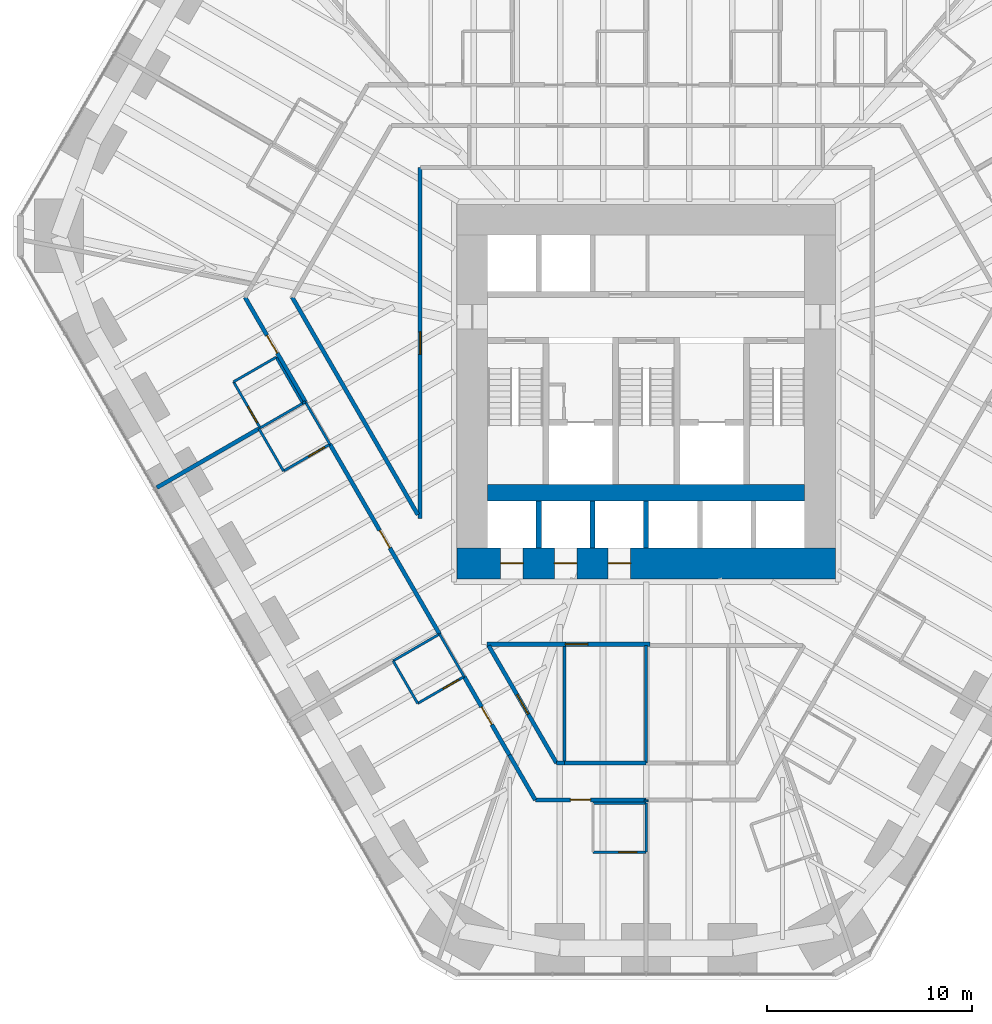
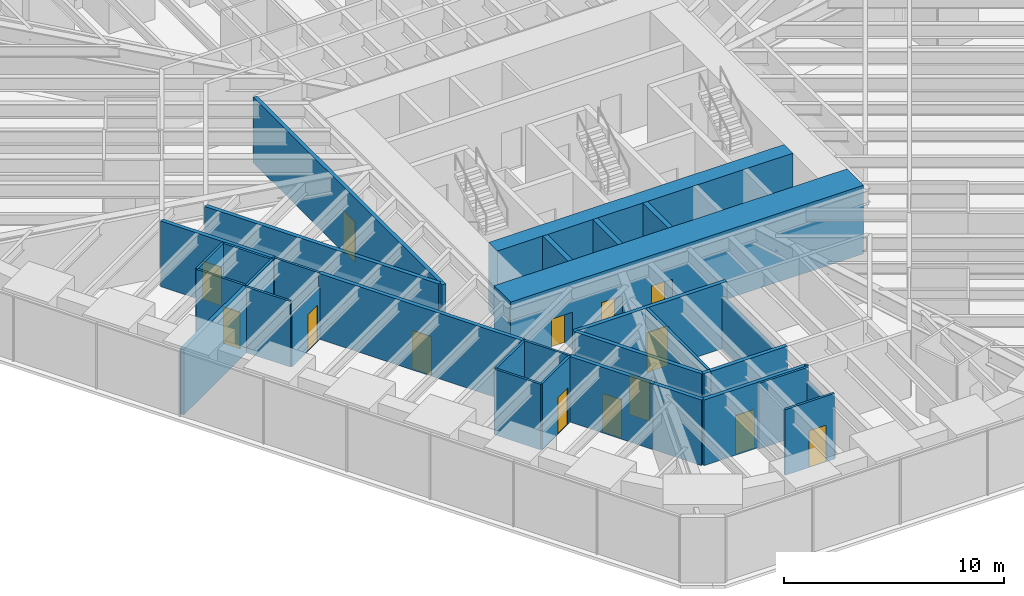
# One storey, part 11 of 17: 35 walls, 14 doors, 14 openings.
"""IFC4 building model written with IfcOpenShell, lengths in metres."""

from ifc_helpers import new_model, si_unit, direction, frame, frame_2d, origin, place, context, subcontext, project, spatial, rectangle, extrude, material, layer, layer_set, type_object, element, fill, save


model = new_model("IFC4")

# Units and contexts
model_context = context("Model", 3, precision=1e-05, world=origin(), true_north=direction((0.0, 1.0)))
body_context = subcontext(model_context, "Body", "Model", "MODEL_VIEW")
ifc_project = project(units=[si_unit("LENGTHUNIT", "METRE"), si_unit("AREAUNIT", "SQUARE_METRE"), si_unit("VOLUMEUNIT", "CUBIC_METRE"), si_unit("PLANEANGLEUNIT", "RADIAN"), si_unit("MASSUNIT", "GRAM", prefix="KILO")], contexts=[model_context])

# Site, building, storey
site_placement = place(None, origin())
site = spatial("IfcSite", under=ifc_project, at=site_placement, CompositionType="ELEMENT")
building_placement = place(site_placement, origin())
building = spatial("IfcBuilding", under=site, at=building_placement, Name="Sandreach Pilgrim Tower", CompositionType="ELEMENT")
storey_placement = place(building_placement, frame((0.0, 0.0, 49.60009765625)))
storey = spatial("IfcBuildingStorey", under=building, at=storey_placement, Name="L11", CompositionType="ELEMENT", Elevation=49.60009765625)

# Walls
ifc_material_1 = material(Name="Gypsum board on steel studs", Category="steel")
ifc_layer_1 = layer(ifc_material_1, 0.14990234375)
ifc_layer_set_1 = layer_set([ifc_layer_1], Name="Back of house wall 150")
wall_type_1 = type_object("IfcWallType", Name="Back of house wall 150", PredefinedType="PARTITIONING", material=ifc_layer_set_1)
wall_1_placement = place(storey_placement, frame((-4.0, -14.0, 0.0), z_axis=(0.0, 0.0, 1.0), x_axis=(0.0, -1.0, 0.0)))
element("IfcWall", 1, at=wall_1_placement, inside=storey, type_object=wall_type_1, Name="Back of house wall L11-051", PredefinedType="PARTITIONING", context=body_context, shape_type="SweptSolid", body=[
    extrude(rectangle(XDim=5.7099609375, YDim=0.14990234375, at=frame_2d((2.85498046875, 0.0))), origin(), (0.0, 0.0, 1.0), 3.639892578125),
])
wall_2_placement = place(storey_placement, frame((0.0, -13.949951171875, 0.0), z_axis=(0.0, 0.0, 1.0), x_axis=(0.0, -1.0, 0.0)))
element("IfcWall", 2, at=wall_2_placement, inside=storey, type_object=wall_type_1, Name="Back of house wall L11-062", PredefinedType="PARTITIONING", context=body_context, shape_type="SweptSolid", body=[
    extrude(rectangle(XDim=5.760009765625, YDim=0.14990234375, at=frame_2d((2.8798828125, 0.0))), origin(), (0.0, 0.0, 1.0), 2.860107421875),
])

# Wall, opening, door
ifc_material_2 = material(Name="Moisture-resistant gypsum board on steel studs", Category="steel")
ifc_layer_2 = layer(ifc_material_2, 0.1201171875)
ifc_layer_set_2 = layer_set([ifc_layer_2], Name="Bathroom partition 120")
wall_type_2 = type_object("IfcWallType", Name="Bathroom partition 120", PredefinedType="PARTITIONING", material=ifc_layer_set_2)
wall_3_placement = place(storey_placement, frame((-20.169921875, -1.070068359375, 0.0), z_axis=(0.0, 0.0, 1.0), x_axis=(0.500291685314, -0.865856933682, 0.0)))
wall_3 = element("IfcWall", 3, at=wall_3_placement, inside=storey, type_object=wall_type_2, Name="Bathroom partition L11-004", PredefinedType="PARTITIONING", context=body_context, shape_type="SweptSolid", body=[
    extrude(rectangle(XDim=2.5986328125, YDim=0.1201171875, at=frame_2d((1.29931640625, 0.0))), origin(), (0.0, 0.0, 1.0), 3.639892578125),
])
opening_1_placement = place(wall_3_placement, frame((1.398681640625, 0.0, 0.0)))
opening_1 = element("IfcOpeningElement", 4, at=opening_1_placement, cuts=wall_3, Name="Opening D09-14B", PredefinedType="OPENING", context=body_context, shape_type="SweptSolid", body=[
    extrude(rectangle(XDim=0.89990234375, YDim=2.030029296875, at=frame_2d((0.449951171875, 1.01513671875))), frame((0.0, 0.06005859375, 0.0), z_axis=(0.0, -1.0, 0.0), x_axis=(1.0, 0.0, 0.0)), (0.0, 0.0, 1.0), 0.1201171875),
])
ifc_material_3 = material(Name="Timber door, steel frame", Category="steel")
door_type_1 = type_object("IfcDoorType", Name="Bathroom door", OperationType="SINGLE_SWING_LEFT", PredefinedType="DOOR", material=ifc_material_3)
door_1_placement = place(opening_1_placement, origin())
door_1 = element("IfcDoor", 5, at=door_1_placement, inside=storey, type_object=door_type_1, Name="Door 1114B", OperationType="SINGLE_SWING_RIGHT", OverallHeight=2.030029296875, OverallWidth=0.89990234375, PredefinedType="DOOR", context=body_context, shape_type="SweptSolid", body=[
    extrude(rectangle(XDim=0.89990234375, YDim=2.030029296875, at=frame_2d((0.449951171875, 1.01513671875))), frame((0.0, 0.02490234375, 0.0), z_axis=(0.0, -1.0, 0.0), x_axis=(1.0, 0.0, 0.0)), (0.0, 0.0, 1.0), 0.050048828125),
])
fill(opening_1, door_1)

# Walls
wall_4_placement = place(storey_placement, frame((-18.929931640625, -3.360107421875, 0.0), z_axis=(0.0, 0.0, 1.0), x_axis=(0.501547039172, -0.865130376012, 0.0)))
element("IfcWall", 6, at=wall_4_placement, inside=storey, type_object=wall_type_2, Name="Bathroom partition L11-009", PredefinedType="PARTITIONING", context=body_context, shape_type="SweptSolid", body=[
    extrude(rectangle(XDim=2.392578125, YDim=0.1201171875, at=frame_2d((1.1962890625, 0.0))), origin(), (0.0, 0.0, 1.0), 3.639892578125),
])
wall_5_placement = place(storey_placement, frame((-18.86767578125, -3.323974609375, 0.0), z_axis=(0.0, 0.0, 1.0), x_axis=(0.866133109688, 0.499813401482, 0.0)))
element("IfcWall", 7, at=wall_5_placement, inside=storey, type_object=wall_type_2, Name="Bathroom partition L11-010", PredefinedType="PARTITIONING", context=body_context, shape_type="SweptSolid", body=[
    extrude(rectangle(XDim=2.4013671875, YDim=0.1201171875, at=frame_2d((1.20068359375, 0.0))), origin(), (0.0, 0.0, 1.0), 3.639892578125),
])
wall_6_placement = place(storey_placement, frame((-18.090087890625, 0.1298828125, 0.0), z_axis=(0.0, 0.0, 1.0), x_axis=(-0.866177122335, -0.499737123639, 0.0)))
element("IfcWall", 8, at=wall_6_placement, inside=storey, type_object=wall_type_2, Name="Bathroom partition L11-013", PredefinedType="PARTITIONING", context=body_context, shape_type="SweptSolid", body=[
    extrude(rectangle(XDim=2.401123046875, YDim=0.1201171875, at=frame_2d((1.20068359375, 0.0))), origin(), (0.0, 0.0, 1.0), 3.639892578125),
])

# Wall, opening, door
wall_7_placement = place(storey_placement, frame((-17.72998046875, -5.429931640625, 0.0), z_axis=(0.0, 0.0, 1.0), x_axis=(0.866114241029, 0.499846097802, 0.0)))
wall_7 = element("IfcWall", 9, at=wall_7_placement, inside=storey, type_object=wall_type_2, Name="Bathroom partition L11-014", PredefinedType="PARTITIONING", context=body_context, shape_type="SweptSolid", body=[
    extrude(rectangle(XDim=2.620849609375, YDim=0.1201171875, at=frame_2d((1.310546875, 0.0))), origin(), (0.0, 0.0, 1.0), 2.8779296875),
])
opening_2_placement = place(wall_7_placement, frame((1.4208984375, 0.0, 0.0)))
opening_2 = element("IfcOpeningElement", 10, at=opening_2_placement, cuts=wall_7, Name="Opening D09-13B", PredefinedType="OPENING", context=body_context, shape_type="SweptSolid", body=[
    extrude(rectangle(XDim=0.89990234375, YDim=2.030029296875, at=frame_2d((0.449951171875, 1.01513671875))), frame((0.0, 0.06005859375, 0.0), z_axis=(0.0, -1.0, 0.0), x_axis=(1.0, 0.0, 0.0)), (0.0, 0.0, 1.0), 0.1201171875),
])
door_2_placement = place(opening_2_placement, origin())
door_2 = element("IfcDoor", 11, at=door_2_placement, inside=storey, type_object=door_type_1, Name="Door 1113B", OperationType="SINGLE_SWING_RIGHT", OverallHeight=2.030029296875, OverallWidth=0.89990234375, PredefinedType="DOOR", context=body_context, shape_type="SweptSolid", body=[
    extrude(rectangle(XDim=0.89990234375, YDim=2.030029296875, at=frame_2d((0.449951171875, 1.01513671875))), frame((0.0, 0.02490234375, 0.0), z_axis=(0.0, -1.0, 0.0), x_axis=(1.0, 0.0, 0.0)), (0.0, 0.0, 1.0), 0.050048828125),
])
fill(opening_2, door_2)

# Walls
wall_8_placement = place(storey_placement, frame((-16.7900390625, -2.1201171875, 0.0), z_axis=(0.0, 0.0, 1.0), x_axis=(-0.50025099007, 0.865880446098, 0.0)))
element("IfcWall", 12, at=wall_8_placement, inside=storey, type_object=wall_type_2, Name="Bathroom partition L11-019", PredefinedType="PARTITIONING", context=body_context, shape_type="SweptSolid", body=[
    extrude(rectangle(XDim=2.598876953125, YDim=0.1201171875, at=frame_2d((1.29931640625, 0.0))), origin(), (0.0, 0.0, 1.0), 3.639892578125),
])
wall_9_placement = place(storey_placement, frame((-16.787841796875, -2.123779296875, 0.0), z_axis=(0.0, 0.0, 1.0), x_axis=(0.866405716731, 0.499340699338, 0.0)))
element("IfcWall", 13, at=wall_9_placement, inside=storey, type_object=wall_type_2, Name="Bathroom partition L11-020", PredefinedType="PARTITIONING", context=body_context, shape_type="SweptSolid", body=[
    extrude(rectangle(XDim=0.147705078125, YDim=0.1201171875, at=frame_2d((0.07373046875, 0.0))), origin(), (0.0, 0.0, 1.0), 3.639892578125),
])
wall_10_placement = place(storey_placement, frame((-16.659912109375, -2.050048828125, 0.0), z_axis=(0.0, 0.0, 1.0), x_axis=(0.501502765098, -0.865156041763, 0.0)))
element("IfcWall", 14, at=wall_10_placement, inside=storey, type_object=wall_type_2, Name="Bathroom partition L11-021", PredefinedType="PARTITIONING", context=body_context, shape_type="SweptSolid", body=[
    extrude(rectangle(XDim=2.392822265625, YDim=0.1201171875, at=frame_2d((1.1962890625, 0.0))), origin(), (0.0, 0.0, 1.0), 3.639892578125),
])
wall_11_placement = place(storey_placement, frame((-12.3701171875, -14.7099609375, 0.0), z_axis=(0.0, 0.0, 1.0), x_axis=(0.499769390944, -0.866158505053, 0.0)))
element("IfcWall", 15, at=wall_11_placement, inside=storey, type_object=wall_type_2, Name="Bathroom partition L11-028", PredefinedType="PARTITIONING", context=body_context, shape_type="SweptSolid", body=[
    extrude(rectangle(XDim=2.401611328125, YDim=0.1201171875, at=frame_2d((1.20068359375, 0.0))), origin(), (0.0, 0.0, 1.0), 3.639892578125),
])
wall_12_placement = place(storey_placement, frame((-12.3701171875, -14.7099609375, 0.0), z_axis=(0.0, 0.0, 1.0), x_axis=(0.866114241029, 0.499846097802, 0.0)))
element("IfcWall", 16, at=wall_12_placement, inside=storey, type_object=wall_type_2, Name="Bathroom partition L11-029", PredefinedType="PARTITIONING", context=body_context, shape_type="SweptSolid", body=[
    extrude(rectangle(XDim=2.620849609375, YDim=0.1201171875, at=frame_2d((1.310546875, 0.0))), origin(), (0.0, 0.0, 1.0), 3.639892578125),
])

# Wall, opening, door
wall_13_placement = place(storey_placement, frame((-11.169921875, -16.7900390625, 0.0), z_axis=(0.0, 0.0, 1.0), x_axis=(0.866114241029, 0.499846097802, 0.0)))
wall_13 = element("IfcWall", 17, at=wall_13_placement, inside=storey, type_object=wall_type_2, Name="Bathroom partition L11-032", PredefinedType="PARTITIONING", context=body_context, shape_type="SweptSolid", body=[
    extrude(rectangle(XDim=2.620849609375, YDim=0.1201171875, at=frame_2d((1.310546875, 0.0))), origin(), (0.0, 0.0, 1.0), 3.639892578125),
])
opening_3_placement = place(wall_13_placement, frame((1.4208984375, 0.0, 0.0)))
opening_3 = element("IfcOpeningElement", 18, at=opening_3_placement, cuts=wall_13, Name="Opening D09-12B", PredefinedType="OPENING", context=body_context, shape_type="SweptSolid", body=[
    extrude(rectangle(XDim=0.89990234375, YDim=2.030029296875, at=frame_2d((0.449951171875, 1.01513671875))), frame((0.0, 0.06005859375, 0.0), z_axis=(0.0, -1.0, 0.0), x_axis=(1.0, 0.0, 0.0)), (0.0, 0.0, 1.0), 0.1201171875),
])
door_3_placement = place(opening_3_placement, origin())
door_3 = element("IfcDoor", 19, at=door_3_placement, inside=storey, type_object=door_type_1, Name="Door 1112B", OperationType="SINGLE_SWING_RIGHT", OverallHeight=2.030029296875, OverallWidth=0.89990234375, PredefinedType="DOOR", context=body_context, shape_type="SweptSolid", body=[
    extrude(rectangle(XDim=0.89990234375, YDim=2.030029296875, at=frame_2d((0.449951171875, 1.01513671875))), frame((0.0, 0.02490234375, 0.0), z_axis=(0.0, -1.0, 0.0), x_axis=(1.0, 0.0, 0.0)), (0.0, 0.0, 1.0), 0.050048828125),
])
fill(opening_3, door_3)

# Wall
wall_14_placement = place(storey_placement, frame((-10.10009765625, -13.39990234375, 0.0), z_axis=(0.0, 0.0, 1.0), x_axis=(0.499769390944, -0.866158505053, 0.0)))
element("IfcWall", 20, at=wall_14_placement, inside=storey, type_object=wall_type_2, Name="Bathroom partition L11-036", PredefinedType="PARTITIONING", context=body_context, shape_type="SweptSolid", body=[
    extrude(rectangle(XDim=2.401611328125, YDim=0.1201171875, at=frame_2d((1.20068359375, 0.0))), origin(), (0.0, 0.0, 1.0), 3.639892578125),
])

# Wall, opening, door
wall_15_placement = place(storey_placement, frame((-2.60009765625, -24.06005859375, 0.0), z_axis=(0.0, 0.0, 1.0), x_axis=(1.0, 0.0, 0.0)))
wall_15 = element("IfcWall", 21, at=wall_15_placement, inside=storey, type_object=wall_type_2, Name="Bathroom partition L11-052", PredefinedType="PARTITIONING", context=body_context, shape_type="SweptSolid", body=[
    extrude(rectangle(XDim=2.60009765625, YDim=0.1201171875, at=frame_2d((1.300048828125, 0.0))), origin(), (0.0, 0.0, 1.0), 3.639892578125),
])
opening_4_placement = place(wall_15_placement, frame((1.25, 0.0, 0.0)))
opening_4 = element("IfcOpeningElement", 22, at=opening_4_placement, cuts=wall_15, Name="Opening D09-11B", PredefinedType="OPENING", context=body_context, shape_type="SweptSolid", body=[
    extrude(rectangle(XDim=0.89990234375, YDim=2.030029296875, at=frame_2d((0.449951171875, 1.01513671875))), frame((0.0, 0.06005859375, 0.0), z_axis=(0.0, -1.0, 0.0), x_axis=(1.0, 0.0, 0.0)), (0.0, 0.0, 1.0), 0.1201171875),
])
door_4_placement = place(opening_4_placement, origin())
door_4 = element("IfcDoor", 23, at=door_4_placement, inside=storey, type_object=door_type_1, Name="Door 1111B", OperationType="SINGLE_SWING_RIGHT", OverallHeight=2.030029296875, OverallWidth=0.89990234375, PredefinedType="DOOR", context=body_context, shape_type="SweptSolid", body=[
    extrude(rectangle(XDim=0.89990234375, YDim=2.030029296875, at=frame_2d((0.449951171875, 1.01513671875))), frame((0.0, 0.02490234375, 0.0), z_axis=(0.0, -1.0, 0.0), x_axis=(1.0, 0.0, 0.0)), (0.0, 0.0, 1.0), 0.050048828125),
])
fill(opening_4, door_4)

# Walls
wall_16_placement = place(storey_placement, frame((0.0, -24.06005859375, 0.0), z_axis=(0.0, 0.0, 1.0), x_axis=(0.0, 1.0, 0.0)))
element("IfcWall", 24, at=wall_16_placement, inside=storey, type_object=wall_type_2, Name="Bathroom partition L11-057", PredefinedType="PARTITIONING", context=body_context, shape_type="SweptSolid", body=[
    extrude(rectangle(XDim=2.400146484375, YDim=0.1201171875, at=frame_2d((1.2001953125, 0.0))), origin(), (0.0, 0.0, 1.0), 2.860107421875),
])
wall_17_placement = place(storey_placement, frame((0.0, -21.659912109375, 0.0), z_axis=(0.0, 0.0, 1.0), x_axis=(-1.0, 0.0, 0.0)))
element("IfcWall", 25, at=wall_17_placement, inside=storey, type_object=wall_type_2, Name="Bathroom partition L11-058", PredefinedType="PARTITIONING", context=body_context, shape_type="SweptSolid", body=[
    extrude(rectangle(XDim=2.60009765625, YDim=0.1201171875, at=frame_2d((1.300048828125, 0.0))), origin(), (0.0, 0.0, 1.0), 3.639892578125),
])
ifc_material_4 = material(Name="Concrete 10000 psi", Category="concrete")
ifc_layer_3 = layer(ifc_material_4, 0.800048828125)
ifc_layer_set_3 = layer_set([ifc_layer_3], Name="Core mid wall 800")
wall_type_3 = type_object("IfcWallType", Name="Core mid wall 800", PredefinedType="SHEAR", material=ifc_layer_set_3)
wall_18_placement = place(storey_placement, frame((-7.75, -6.5, 0.0), z_axis=(0.0, 0.0, 1.0), x_axis=(1.0, 0.0, 0.0)))
element("IfcWall", 26, at=wall_18_placement, inside=storey, type_object=wall_type_3, Name="Core wall M L11", PredefinedType="SHEAR", context=body_context, shape_type="SweptSolid", body=[
    extrude(rectangle(XDim=15.5, YDim=0.800048828125, at=frame_2d((7.75, 0.0))), origin(), (0.0, 0.0, 1.0), 3.7998046875),
])

# Wall, openings, doors
ifc_material_5 = material(Name="Concrete 10000 psi", Category="concrete")
ifc_layer_4 = layer(ifc_material_5, 1.5)
ifc_layer_set_4 = layer_set([ifc_layer_4], Name="Core wall 1500")
wall_type_4 = type_object("IfcWallType", Name="Core wall 1500", PredefinedType="SHEAR", material=ifc_layer_set_4)
wall_19_placement = place(storey_placement, frame((-9.25, -9.949951171875, 0.0), z_axis=(0.0, 0.0, 1.0), x_axis=(1.0, 0.0, 0.0)))
wall_19 = element("IfcWall", 27, at=wall_19_placement, inside=storey, type_object=wall_type_4, Name="Core wall S L11", PredefinedType="SHEAR", context=body_context, shape_type="SweptSolid", body=[
    extrude(rectangle(XDim=18.5, YDim=1.5, at=frame_2d((9.25, 0.0))), origin(), (0.0, 0.0, 1.0), 3.7998046875),
])
opening_5_placement = place(wall_19_placement, frame((2.137451171875, 0.0, 0.0)))
opening_5 = element("IfcOpeningElement", 28, at=opening_5_placement, cuts=wall_19, Name="Opening LD11", PredefinedType="OPENING", context=body_context, shape_type="SweptSolid", body=[
    extrude(rectangle(XDim=1.10009765625, YDim=2.10009765625, at=frame_2d((0.550048828125, 1.050048828125))), frame((0.0, 0.75, 0.0), z_axis=(0.0, -1.0, 0.0), x_axis=(1.0, 0.0, 0.0)), (0.0, 0.0, 1.0), 1.5),
])
opening_6_placement = place(wall_19_placement, frame((4.762451171875, 0.0, 0.0)))
opening_6 = element("IfcOpeningElement", 29, at=opening_6_placement, cuts=wall_19, Name="Opening LD11", PredefinedType="OPENING", context=body_context, shape_type="SweptSolid", body=[
    extrude(rectangle(XDim=1.10009765625, YDim=2.10009765625, at=frame_2d((0.550048828125, 1.050048828125))), frame((0.0, 0.75, 0.0), z_axis=(0.0, -1.0, 0.0), x_axis=(1.0, 0.0, 0.0)), (0.0, 0.0, 1.0), 1.5),
])
opening_7_placement = place(wall_19_placement, frame((7.387451171875, 0.0, 0.0)))
opening_7 = element("IfcOpeningElement", 30, at=opening_7_placement, cuts=wall_19, Name="Opening LD11", PredefinedType="OPENING", context=body_context, shape_type="SweptSolid", body=[
    extrude(rectangle(XDim=1.10009765625, YDim=2.10009765625, at=frame_2d((0.550048828125, 1.050048828125))), frame((0.0, 0.75, 0.0), z_axis=(0.0, -1.0, 0.0), x_axis=(1.0, 0.0, 0.0)), (0.0, 0.0, 1.0), 1.5),
])
ifc_material_6 = material(Name="Steel door and frame", Category="steel")
door_type_2 = type_object("IfcDoorType", Name="Lift landing door", OperationType="DOUBLE_DOOR_SLIDING", PredefinedType="DOOR", material=ifc_material_6)
door_5_placement = place(opening_5_placement, origin())
door_5 = element("IfcDoor", 31, at=door_5_placement, inside=storey, type_object=door_type_2, Name="Lift landing door Z1A L11", OperationType="DOUBLE_DOOR_SLIDING", OverallHeight=2.10009765625, OverallWidth=1.10009765625, PredefinedType="DOOR", context=body_context, shape_type="SweptSolid", body=[
    extrude(rectangle(XDim=1.10009765625, YDim=2.10009765625, at=frame_2d((0.550048828125, 1.050048828125))), frame((0.0, 0.02490234375, 0.0), z_axis=(0.0, -1.0, 0.0), x_axis=(1.0, 0.0, 0.0)), (0.0, 0.0, 1.0), 0.050048828125),
])
fill(opening_5, door_5)
door_6_placement = place(opening_6_placement, origin())
door_6 = element("IfcDoor", 32, at=door_6_placement, inside=storey, type_object=door_type_2, Name="Lift landing door Z1B L11", OperationType="DOUBLE_DOOR_SLIDING", OverallHeight=2.10009765625, OverallWidth=1.10009765625, PredefinedType="DOOR", context=body_context, shape_type="SweptSolid", body=[
    extrude(rectangle(XDim=1.10009765625, YDim=2.10009765625, at=frame_2d((0.550048828125, 1.050048828125))), frame((0.0, 0.02490234375, 0.0), z_axis=(0.0, -1.0, 0.0), x_axis=(1.0, 0.0, 0.0)), (0.0, 0.0, 1.0), 0.050048828125),
])
fill(opening_6, door_6)
door_7_placement = place(opening_7_placement, origin())
door_7 = element("IfcDoor", 33, at=door_7_placement, inside=storey, type_object=door_type_2, Name="Lift landing door Z1C L11", OperationType="DOUBLE_DOOR_SLIDING", OverallHeight=2.10009765625, OverallWidth=1.10009765625, PredefinedType="DOOR", context=body_context, shape_type="SweptSolid", body=[
    extrude(rectangle(XDim=1.10009765625, YDim=2.10009765625, at=frame_2d((0.550048828125, 1.050048828125))), frame((0.0, 0.02490234375, 0.0), z_axis=(0.0, -1.0, 0.0), x_axis=(1.0, 0.0, 0.0)), (0.0, 0.0, 1.0), 0.050048828125),
])
fill(opening_7, door_7)

# Wall, opening, door
ifc_material_7 = material(Name="Gypsum board on steel studs, two layers each side", Category="steel")
ifc_layer_5 = layer(ifc_material_7, 0.199951171875)
ifc_layer_set_5 = layer_set([ifc_layer_5], Name="Corridor wall 200")
wall_type_5 = type_object("IfcWallType", Name="Corridor wall 200", PredefinedType="PARTITIONING", material=ifc_layer_set_5)
wall_20_placement = place(storey_placement, frame((-19.610107421875, 3.06005859375, 0.0), z_axis=(0.0, 0.0, 1.0), x_axis=(0.499983910424, -0.866034692906, 0.0)))
wall_20 = element("IfcWall", 34, at=wall_20_placement, inside=storey, type_object=wall_type_5, Name="Corridor wall L11-006", PredefinedType="PARTITIONING", context=body_context, shape_type="SweptSolid", body=[
    extrude(rectangle(XDim=5.900634765625, YDim=0.199951171875, at=frame_2d((2.9501953125, 0.0))), origin(), (0.0, 0.0, 1.0), 3.639892578125),
])
opening_8_placement = place(wall_20_placement, frame((2.14990234375, 0.0, 0.0)))
opening_8 = element("IfcOpeningElement", 35, at=opening_8_placement, cuts=wall_20, Name="Opening D10-14", PredefinedType="OPENING", context=body_context, shape_type="SweptSolid", body=[
    extrude(rectangle(XDim=1.0, YDim=2.1298828125, at=frame_2d((0.5, 1.06494140625))), frame((0.0, 0.10009765625, 0.0), z_axis=(0.0, -1.0, 0.0), x_axis=(1.0, 0.0, 0.0)), (0.0, 0.0, 1.0), 0.199951171875),
])
ifc_material_8 = material(Name="Steel door and frame", Category="steel")
door_type_3 = type_object("IfcDoorType", Name="Guest room entry door", OperationType="SINGLE_SWING_LEFT", PredefinedType="DOOR", material=ifc_material_8)
door_8_placement = place(opening_8_placement, origin())
door_8 = element("IfcDoor", 36, at=door_8_placement, inside=storey, type_object=door_type_3, Name="Door 1114", OperationType="SINGLE_SWING_LEFT", OverallHeight=2.1298828125, OverallWidth=1.0, PredefinedType="DOOR", context=body_context, shape_type="SweptSolid", body=[
    extrude(rectangle(XDim=1.0, YDim=2.1298828125, at=frame_2d((0.5, 1.06494140625))), frame((0.0, 0.02490234375, 0.0), z_axis=(0.0, -1.0, 0.0), x_axis=(1.0, 0.0, 0.0)), (0.0, 0.0, 1.0), 0.050048828125),
])
fill(opening_8, door_8)

wall_21_placement = place(storey_placement, frame((-15.4599609375, -4.1201171875, 0.0), z_axis=(0.0, 0.0, 1.0), x_axis=(0.500152338955, -0.865937432981, 0.0)))
wall_21 = element("IfcWall", 37, at=wall_21_placement, inside=storey, type_object=wall_type_5, Name="Corridor wall L11-025", PredefinedType="PARTITIONING", context=body_context, shape_type="SweptSolid", body=[
    extrude(rectangle(XDim=10.716552734375, YDim=0.199951171875, at=frame_2d((5.3583984375, 0.0))), origin(), (0.0, 0.0, 1.0), 3.639892578125),
])
opening_9_placement = place(wall_21_placement, frame((4.8583984375, 0.0, 0.0)))
opening_9 = element("IfcOpeningElement", 38, at=opening_9_placement, cuts=wall_21, Name="Opening D10-13", PredefinedType="OPENING", context=body_context, shape_type="SweptSolid", body=[
    extrude(rectangle(XDim=1.0, YDim=2.1298828125, at=frame_2d((0.5, 1.06494140625))), frame((0.0, 0.10009765625, 0.0), z_axis=(0.0, -1.0, 0.0), x_axis=(1.0, 0.0, 0.0)), (0.0, 0.0, 1.0), 0.199951171875),
])
door_9_placement = place(opening_9_placement, origin())
door_9 = element("IfcDoor", 39, at=door_9_placement, inside=storey, type_object=door_type_3, Name="Door 1113", OperationType="SINGLE_SWING_LEFT", OverallHeight=2.1298828125, OverallWidth=1.0, PredefinedType="DOOR", context=body_context, shape_type="SweptSolid", body=[
    extrude(rectangle(XDim=1.0, YDim=2.1298828125, at=frame_2d((0.5, 1.06494140625))), frame((0.0, 0.02490234375, 0.0), z_axis=(0.0, -1.0, 0.0), x_axis=(1.0, 0.0, 0.0)), (0.0, 0.0, 1.0), 0.050048828125),
])
fill(opening_9, door_9)

# Wall
wall_22_placement = place(storey_placement, frame((-11.16015625, -7.569580078125, 0.0), z_axis=(0.0, 0.0, 1.0), x_axis=(-0.500175206663, 0.865924224537, 0.0)))
element("IfcWall", 40, at=wall_22_placement, inside=storey, type_object=wall_type_5, Name="Corridor wall L11-033", PredefinedType="PARTITIONING", context=body_context, shape_type="SweptSolid", body=[
    extrude(rectangle(XDim=12.275390625, YDim=0.199951171875, at=frame_2d((6.1376953125, 0.0))), origin(), (0.0, 0.0, 1.0), 3.639892578125),
])

# Wall, opening, door
wall_23_placement = place(storey_placement, frame((-11.050048828125, 9.39990234375, 0.0), z_axis=(0.0, 0.0, 1.0), x_axis=(0.0, -1.0, 0.0)))
wall_23 = element("IfcWall", 41, at=wall_23_placement, inside=storey, type_object=wall_type_5, Name="Corridor wall L11-034", PredefinedType="PARTITIONING", context=body_context, shape_type="SweptSolid", body=[
    extrude(rectangle(XDim=17.159912109375, YDim=0.199951171875, at=frame_2d((8.580078125, 0.0))), origin(), (0.0, 0.0, 1.0), 3.639892578125),
])
opening_10_placement = place(wall_23_placement, frame((8.030029296875, 0.0, 0.0)))
opening_10 = element("IfcOpeningElement", 42, at=opening_10_placement, cuts=wall_23, Name="Opening D11H-M01", PredefinedType="OPENING", context=body_context, shape_type="SweptSolid", body=[
    extrude(rectangle(XDim=1.10009765625, YDim=2.199951171875, at=frame_2d((0.550048828125, 1.10009765625))), frame((0.0, 0.10009765625, 0.0), z_axis=(0.0, -1.0, 0.0), x_axis=(1.0, 0.0, 0.0)), (0.0, 0.0, 1.0), 0.199951171875),
])
ifc_material_9 = material(Name="Steel door and frame", Category="steel")
door_type_4 = type_object("IfcDoorType", Name="Back of house door", OperationType="SINGLE_SWING_LEFT", PredefinedType="DOOR", material=ifc_material_9)
door_10_placement = place(opening_10_placement, origin())
door_10 = element("IfcDoor", 43, at=door_10_placement, inside=storey, type_object=door_type_4, Name="Door 11M01", OperationType="SINGLE_SWING_LEFT", OverallHeight=2.199951171875, OverallWidth=1.10009765625, PredefinedType="DOOR", context=body_context, shape_type="SweptSolid", body=[
    extrude(rectangle(XDim=1.10009765625, YDim=2.199951171875, at=frame_2d((0.550048828125, 1.10009765625))), frame((0.0, 0.02490234375, 0.0), z_axis=(0.0, -1.0, 0.0), x_axis=(1.0, 0.0, 0.0)), (0.0, 0.0, 1.0), 0.050048828125),
])
fill(opening_10, door_10)

wall_24_placement = place(storey_placement, frame((-8.89990234375, -15.47998046875, 0.0), z_axis=(0.0, 0.0, 1.0), x_axis=(0.499773435832, -0.866156171159, 0.0)))
wall_24 = element("IfcWall", 44, at=wall_24_placement, inside=storey, type_object=wall_type_5, Name="Corridor wall L11-039", PredefinedType="PARTITIONING", context=body_context, shape_type="SweptSolid", body=[
    extrude(rectangle(XDim=4.421875, YDim=0.199951171875, at=frame_2d((2.2109375, 0.0))), origin(), (0.0, 0.0, 1.0), 3.639892578125),
])
opening_11_placement = place(wall_24_placement, frame((1.7109375, 0.0, 0.0)))
opening_11 = element("IfcOpeningElement", 45, at=opening_11_placement, cuts=wall_24, Name="Opening D10-12", PredefinedType="OPENING", context=body_context, shape_type="SweptSolid", body=[
    extrude(rectangle(XDim=1.0, YDim=2.1298828125, at=frame_2d((0.5, 1.06494140625))), frame((0.0, 0.10009765625, 0.0), z_axis=(0.0, -1.0, 0.0), x_axis=(1.0, 0.0, 0.0)), (0.0, 0.0, 1.0), 0.199951171875),
])
door_11_placement = place(opening_11_placement, origin())
door_11 = element("IfcDoor", 46, at=door_11_placement, inside=storey, type_object=door_type_3, Name="Door 1112", OperationType="SINGLE_SWING_LEFT", OverallHeight=2.1298828125, OverallWidth=1.0, PredefinedType="DOOR", context=body_context, shape_type="SweptSolid", body=[
    extrude(rectangle(XDim=1.0, YDim=2.1298828125, at=frame_2d((0.5, 1.06494140625))), frame((0.0, 0.02490234375, 0.0), z_axis=(0.0, -1.0, 0.0), x_axis=(1.0, 0.0, 0.0)), (0.0, 0.0, 1.0), 0.050048828125),
])
fill(opening_11, door_11)

# Wall
wall_25_placement = place(storey_placement, frame((-6.68994140625, -19.31005859375, 0.0), z_axis=(0.0, 0.0, 1.0), x_axis=(0.499963722229, -0.866046347752, 0.0)))
element("IfcWall", 47, at=wall_25_placement, inside=storey, type_object=wall_type_5, Name="Corridor wall L11-043", PredefinedType="PARTITIONING", context=body_context, shape_type="SweptSolid", body=[
    extrude(rectangle(XDim=2.540283203125, YDim=0.199951171875, at=frame_2d((1.27001953125, 0.0))), origin(), (0.0, 0.0, 1.0), 3.639892578125),
])

# Wall, opening, door
wall_26_placement = place(storey_placement, frame((-5.419921875, -21.510009765625, 0.0), z_axis=(0.0, 0.0, 1.0), x_axis=(1.0, 0.0, 0.0)))
wall_26 = element("IfcWall", 48, at=wall_26_placement, inside=storey, type_object=wall_type_5, Name="Corridor wall L11-048", PredefinedType="PARTITIONING", context=body_context, shape_type="SweptSolid", body=[
    extrude(rectangle(XDim=5.419921875, YDim=0.199951171875, at=frame_2d((2.7099609375, 0.0))), origin(), (0.0, 0.0, 1.0), 3.639892578125),
])
opening_12_placement = place(wall_26_placement, frame((1.7099609375, 0.0, 0.0)))
opening_12 = element("IfcOpeningElement", 49, at=opening_12_placement, cuts=wall_26, Name="Opening D10-11", PredefinedType="OPENING", context=body_context, shape_type="SweptSolid", body=[
    extrude(rectangle(XDim=1.0, YDim=2.1298828125, at=frame_2d((0.5, 1.06494140625))), frame((0.0, 0.10009765625, 0.0), z_axis=(0.0, -1.0, 0.0), x_axis=(1.0, 0.0, 0.0)), (0.0, 0.0, 1.0), 0.199951171875),
])
door_12_placement = place(opening_12_placement, origin())
door_12 = element("IfcDoor", 50, at=door_12_placement, inside=storey, type_object=door_type_3, Name="Door 1111", OperationType="SINGLE_SWING_LEFT", OverallHeight=2.1298828125, OverallWidth=1.0, PredefinedType="DOOR", context=body_context, shape_type="SweptSolid", body=[
    extrude(rectangle(XDim=1.0, YDim=2.1298828125, at=frame_2d((0.5, 1.06494140625))), frame((0.0, 0.02490234375, 0.0), z_axis=(0.0, -1.0, 0.0), x_axis=(1.0, 0.0, 0.0)), (0.0, 0.0, 1.0), 0.050048828125),
])
fill(opening_12, door_12)

wall_27_placement = place(storey_placement, frame((-4.3798828125, -19.7099609375, 0.0), z_axis=(0.0, 0.0, 1.0), x_axis=(-0.500523653757, 0.865722860984, 0.0)))
wall_27 = element("IfcWall", 51, at=wall_27_placement, inside=storey, type_object=wall_type_5, Name="Corridor wall L11-049", PredefinedType="PARTITIONING", context=body_context, shape_type="SweptSolid", body=[
    extrude(rectangle(XDim=6.62841796875, YDim=0.199951171875, at=frame_2d((3.314208984375, 0.0))), origin(), (0.0, 0.0, 1.0), 3.639892578125),
])
opening_13_placement = place(wall_27_placement, frame((2.76416015625, 0.0, 0.0)))
opening_13 = element("IfcOpeningElement", 52, at=opening_13_placement, cuts=wall_27, Name="Opening D11H-S1", PredefinedType="OPENING", context=body_context, shape_type="SweptSolid", body=[
    extrude(rectangle(XDim=1.10009765625, YDim=2.199951171875, at=frame_2d((0.550048828125, 1.10009765625))), frame((0.0, 0.10009765625, 0.0), z_axis=(0.0, -1.0, 0.0), x_axis=(1.0, 0.0, 0.0)), (0.0, 0.0, 1.0), 0.199951171875),
])
door_13_placement = place(opening_13_placement, origin())
door_13 = element("IfcDoor", 53, at=door_13_placement, inside=storey, type_object=door_type_4, Name="Door 11S1", OperationType="SINGLE_SWING_LEFT", OverallHeight=2.199951171875, OverallWidth=1.10009765625, PredefinedType="DOOR", context=body_context, shape_type="SweptSolid", body=[
    extrude(rectangle(XDim=1.10009765625, YDim=2.199951171875, at=frame_2d((0.550048828125, 1.10009765625))), frame((0.0, 0.02490234375, 0.0), z_axis=(0.0, -1.0, 0.0), x_axis=(1.0, 0.0, 0.0)), (0.0, 0.0, 1.0), 0.050048828125),
])
fill(opening_13, door_13)

# Walls
wall_28_placement = place(storey_placement, frame((-4.0, -19.7099609375, 0.0), z_axis=(0.0, 0.0, 1.0), x_axis=(-1.0, 0.0, 0.0)))
element("IfcWall", 54, at=wall_28_placement, inside=storey, type_object=wall_type_5, Name="Corridor wall L11-050", PredefinedType="PARTITIONING", context=body_context, shape_type="SweptSolid", body=[
    extrude(rectangle(XDim=0.3798828125, YDim=0.199951171875, at=frame_2d((0.18994140625, 0.0))), origin(), (0.0, 0.0, 1.0), 3.639892578125),
])
wall_29_placement = place(storey_placement, frame((0.0, -19.7099609375, 0.0), z_axis=(0.0, 0.0, 1.0), x_axis=(-1.0, 0.0, 0.0)))
element("IfcWall", 55, at=wall_29_placement, inside=storey, type_object=wall_type_5, Name="Corridor wall L11-061", PredefinedType="PARTITIONING", context=body_context, shape_type="SweptSolid", body=[
    extrude(rectangle(XDim=4.0, YDim=0.199951171875, at=frame_2d((2.0, 0.0))), origin(), (0.0, 0.0, 1.0), 3.639892578125),
])

# Wall, opening, door
wall_30_placement = place(storey_placement, frame((0.179931640625, -13.89990234375, 0.0), z_axis=(0.0, 0.0, 1.0), x_axis=(-1.0, 0.0, 0.0)))
wall_30 = element("IfcWall", 56, at=wall_30_placement, inside=storey, type_object=wall_type_5, Name="Corridor wall L11-071", PredefinedType="PARTITIONING", context=body_context, shape_type="SweptSolid", body=[
    extrude(rectangle(XDim=7.969970703125, YDim=0.199951171875, at=frame_2d((3.98486328125, 0.0))), origin(), (0.0, 0.0, 1.0), 3.639892578125),
])
opening_14_placement = place(wall_30_placement, frame((3.034912109375, 0.0, 0.0)))
opening_14 = element("IfcOpeningElement", 57, at=opening_14_placement, cuts=wall_30, Name="Opening D11H-S2", PredefinedType="OPENING", context=body_context, shape_type="SweptSolid", body=[
    extrude(rectangle(XDim=1.10009765625, YDim=2.199951171875, at=frame_2d((0.550048828125, 1.10009765625))), frame((0.0, 0.10009765625, 0.0), z_axis=(0.0, -1.0, 0.0), x_axis=(1.0, 0.0, 0.0)), (0.0, 0.0, 1.0), 0.199951171875),
])
door_14_placement = place(opening_14_placement, origin())
door_14 = element("IfcDoor", 58, at=door_14_placement, inside=storey, type_object=door_type_4, Name="Door 11S2", OperationType="SINGLE_SWING_LEFT", OverallHeight=2.199951171875, OverallWidth=1.10009765625, PredefinedType="DOOR", context=body_context, shape_type="SweptSolid", body=[
    extrude(rectangle(XDim=1.10009765625, YDim=2.199951171875, at=frame_2d((0.550048828125, 1.10009765625))), frame((0.0, 0.02490234375, 0.0), z_axis=(0.0, -1.0, 0.0), x_axis=(1.0, 0.0, 0.0)), (0.0, 0.0, 1.0), 0.050048828125),
])
fill(opening_14, door_14)

# Walls
ifc_material_10 = material(Name="Double steel stud acoustic wall, gypsum board", Category="steel")
ifc_layer_6 = layer(ifc_material_10, 0.199951171875)
ifc_layer_set_6 = layer_set([ifc_layer_6], Name="Party wall 200")
wall_type_6 = type_object("IfcWallType", Name="Party wall 200", PredefinedType="PARTITIONING", material=ifc_layer_set_6)
wall_31_placement = place(storey_placement, frame((-23.916015625, -6.239990234375, 0.0), z_axis=(0.0, 0.0, 1.0), x_axis=(0.865919350456, 0.50018364478, 0.0)))
element("IfcWall", 59, at=wall_31_placement, inside=storey, type_object=wall_type_6, Name="Party wall L11-003", PredefinedType="PARTITIONING", context=body_context, shape_type="SweptSolid", body=[
    extrude(rectangle(XDim=5.758056640625, YDim=0.199951171875, at=frame_2d((2.87890625, 0.0))), origin(), (0.0, 0.0, 1.0), 3.639892578125),
])
wall_32_placement = place(storey_placement, frame((0.0, -21.60009765625, 0.0), z_axis=(0.0, 0.0, 1.0), x_axis=(0.0, 1.0, 0.0)))
element("IfcWall", 60, at=wall_32_placement, inside=storey, type_object=wall_type_6, Name="Party wall L11-059", PredefinedType="PARTITIONING", context=body_context, shape_type="SweptSolid", body=[
    extrude(rectangle(XDim=0.090087890625, YDim=0.199951171875, at=frame_2d((0.044921875, 0.0))), origin(), (0.0, 0.0, 1.0), 3.639892578125),
])
ifc_material_11 = material(Name="Gypsum shaft wall on steel studs, two layers of shaft liner board", Category="steel")
ifc_layer_7 = layer(ifc_material_11, 0.25)
ifc_layer_set_7 = layer_set([ifc_layer_7], Name="Shaft partition 250")
wall_type_7 = type_object("IfcWallType", Name="Shaft partition 250", PredefinedType="PARTITIONING", material=ifc_layer_set_7)
for number, where, z_axis, x_axis, name in (
    (61, (-5.25, -9.199951171875, 0.0), (0.0, 0.0, 1.0), (0.0, 1.0, 0.0), "Shaft partition XS0 L11"),
    (62, (-2.625, -9.199951171875, 0.0), (0.0, 0.0, 1.0), (0.0, 1.0, 0.0), "Shaft partition XS1 L11"),
    (63, (0.0, -9.199951171875, 0.0), (0.0, 0.0, 1.0), (0.0, 1.0, 0.0), "Shaft partition XS2 L11"),
):
    element("IfcWall", number, at=place(storey_placement, frame(where, z_axis=z_axis, x_axis=x_axis)), inside=storey, type_object=wall_type_7, Name=name, PredefinedType="PARTITIONING", context=body_context, shape_type="SweptSolid", body=[
        extrude(rectangle(XDim=2.300048828125, YDim=0.25, at=frame_2d((1.14990234375, 0.0))), origin(), (0.0, 0.0, 1.0), 3.7998046875),
    ])

save(model, "model.ifc")
